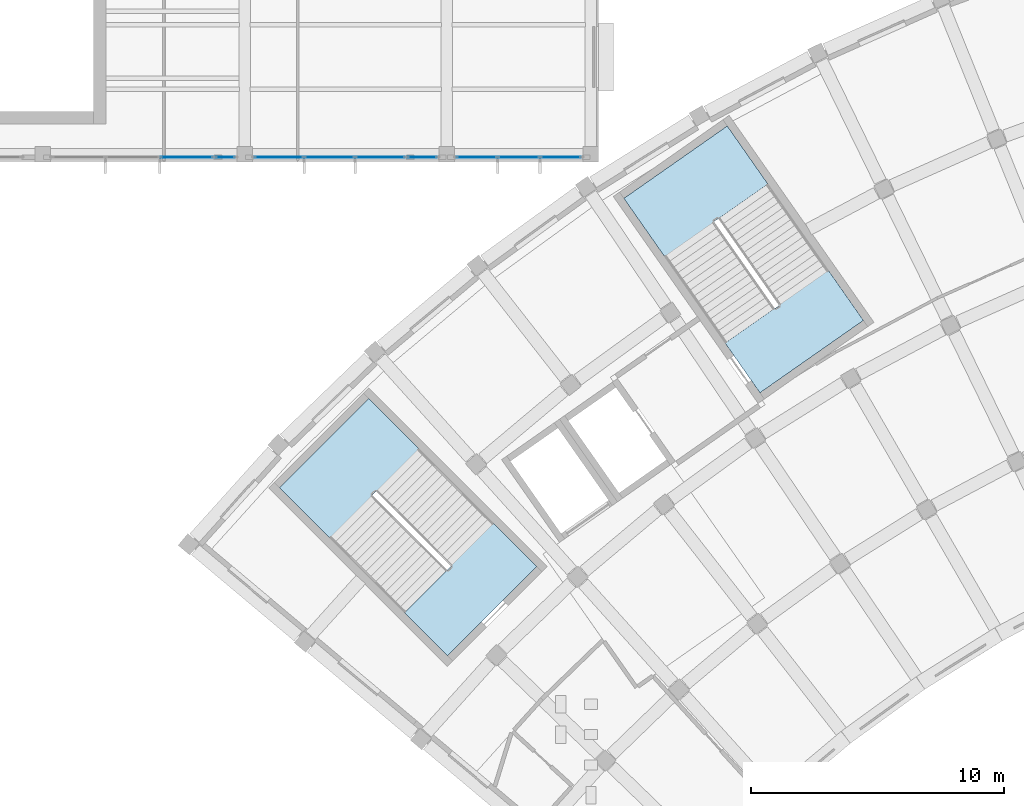
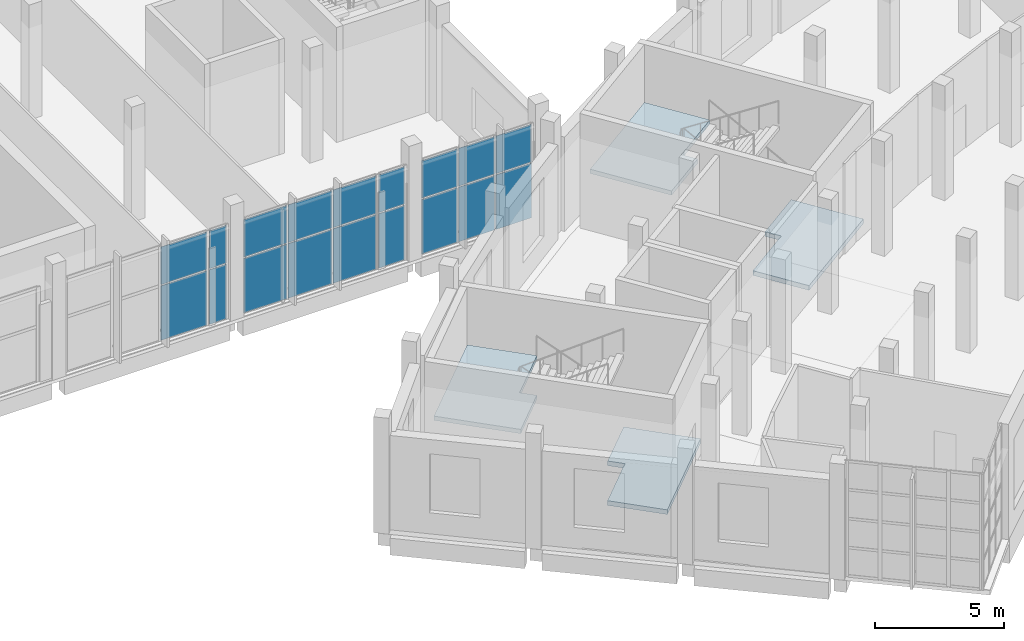
# One storey, part 24 of 87: 18 plates, 4 slabs, 7 elements without a shape of their own.
"""IFC4 building model written with IfcOpenShell, lengths in metres."""

from ifc_helpers import new_model, si_unit, direction, frame, origin, origin_2d, place, context, subcontext, project, spatial, polyline, rectangle, outline, extrude, material, layer, layer_set, type_object, element, aggregate, save


model = new_model("IFC4")

# Units and contexts
model_context = context("Model", 3, precision=1e-05, world=origin(), true_north=direction((0.0, 1.0)))
body_context = subcontext(model_context, "Body", "Model", "MODEL_VIEW")
ifc_project = project(units=[si_unit("LENGTHUNIT", "METRE"), si_unit("AREAUNIT", "SQUARE_METRE"), si_unit("VOLUMEUNIT", "CUBIC_METRE"), si_unit("PLANEANGLEUNIT", "RADIAN"), si_unit("MASSUNIT", "GRAM", prefix="KILO")], contexts=[model_context])

# Site, building, storey
site_placement = place(None, origin())
site = spatial("IfcSite", under=ifc_project, at=site_placement, CompositionType="ELEMENT")
building_placement = place(site_placement, origin())
building = spatial("IfcBuilding", under=site, at=building_placement, Name="Lunette Opera House", CompositionType="ELEMENT")
storey_placement = place(building_placement, frame((0.0, 0.0, 11.5)))
storey = spatial("IfcBuildingStorey", under=building, at=storey_placement, Name="L02", CompositionType="ELEMENT", Elevation=11.5)

# Slabs
ifc_material_1 = material(Name="Concrete C35/45", Category="concrete")
ifc_layer_1 = layer(ifc_material_1, 0.219970703125)
ifc_layer_set_1 = layer_set([ifc_layer_1], Name="Concrete C35/45")
slab_type_1 = type_object("IfcSlabType", Name="CORE LANDING SLAB 220", PredefinedType="LANDING", material=ifc_layer_set_1)
slab_1_placement = place(storey_placement, frame((0.0, 0.0, -0.219970703125)))
element("IfcSlab", 1, at=slab_1_placement, inside=storey, type_object=slab_type_1, Name="ST1 floor landing", PredefinedType="LANDING", context=body_context, shape_type="SweptSolid", body=[
    extrude(outline(polyline([(46.319091796875, 46.14501953125), (48.01611328125, 47.842041015625), (48.02294921875, 47.8349609375), (48.1650390625, 47.97705078125), (47.669921875, 48.471923828125), (49.366943359375, 50.1689453125), (51.55908203125, 47.97705078125), (48.02294921875, 44.44091796875), (46.319091796875, 46.14501953125)])), origin(), (0.0, 0.0, 1.0), 0.219970703125),
])
slab_2_placement = place(storey_placement, frame((0.0, 0.0, -0.219970703125)))
element("IfcSlab", 2, at=slab_2_placement, inside=storey, type_object=slab_type_1, Name="ST2 floor landing", PredefinedType="LANDING", context=body_context, shape_type="SweptSolid", body=[
    extrude(outline(polyline([(60.39990234375, 54.85107421875), (59.01806640625, 56.824951171875), (60.98388671875, 58.200927734375), (60.989990234375, 58.193115234375), (61.154052734375, 58.30810546875), (60.7529296875, 58.882080078125), (62.718994140625, 60.258056640625), (64.4970703125, 57.718994140625), (60.39990234375, 54.85107421875)])), origin(), (0.0, 0.0, 1.0), 0.219970703125),
])

# Curtain wall, plates
ifc_material_2 = material(Name="Aluminium", Category="aluminium")
ifc_layer_2 = layer(ifc_material_2, 0.179931640625)
ifc_layer_set_2 = layer_set([ifc_layer_2], Name="Aluminium")
curtain_wall_type = type_object("IfcCurtainWallType", Name="SUN FACE CURTAIN WALL", PredefinedType="NOTDEFINED", material=ifc_layer_set_2)
curtain_wall_1_placement = place(storey_placement, origin())
curtain_wall_1 = element("IfcCurtainWall", 3, at=curtain_wall_1_placement, inside=storey, type_object=curtain_wall_type, Name="Sun Face Curtain Wall F22 L02", PredefinedType="NOTDEFINED")
ifc_material_3 = material(Name="Laminated glass", Category="glass")
ifc_layer_3 = layer(ifc_material_3, 0.028076171875)
ifc_layer_set_3 = layer_set([ifc_layer_3], Name="Laminated glass")
plate_type = type_object("IfcPlateType", Name="CURTAIN PANEL LAMINATED GLASS 28", PredefinedType="CURTAIN_PANEL", material=ifc_layer_set_3)
plate_1_placement = place(storey_placement, frame((37.69677734375, 64.18310546875, 0.06005859375), z_axis=(0.0, 0.0, 1.0), x_axis=(1.0, 0.0, 0.0)))
plate_1 = element("IfcPlate", 4, at=plate_1_placement, type_object=plate_type, Name="RW-X2038 panel 3.1", PredefinedType="CURTAIN_PANEL", context=body_context, shape_type="SweptSolid", body=[
    extrude(rectangle(XDim=2.062744140625, YDim=0.028076171875, at=origin_2d()), origin(), (0.0, 0.0, 1.0), 2.5849609375),
])
plate_2_placement = place(storey_placement, frame((37.69677734375, 64.18310546875, 2.705078125), z_axis=(0.0, 0.0, 1.0), x_axis=(1.0, 0.0, 0.0)))
plate_2 = element("IfcPlate", 5, at=plate_2_placement, type_object=plate_type, Name="RW-X2038 panel 3.2", PredefinedType="CURTAIN_PANEL", context=body_context, shape_type="SweptSolid", body=[
    extrude(rectangle(XDim=2.062744140625, YDim=0.028076171875, at=origin_2d()), origin(), (0.0, 0.0, 1.0), 1.784912109375),
])
aggregate(curtain_wall_1, [plate_1, plate_2])

curtain_wall_2_placement = place(storey_placement, origin())
curtain_wall_2 = element("IfcCurtainWall", 6, at=curtain_wall_2_placement, inside=storey, type_object=curtain_wall_type, Name="Sun Face Curtain Wall F23-1 L02", PredefinedType="NOTDEFINED")
plate_3_placement = place(storey_placement, frame((39.22900390625, 64.18310546875, 0.06005859375), z_axis=(0.0, 0.0, 1.0), x_axis=(1.0, 0.0, 0.0)))
plate_3 = element("IfcPlate", 7, at=plate_3_placement, type_object=plate_type, Name="RW-X2039 panel 1.1", PredefinedType="CURTAIN_PANEL", context=body_context, shape_type="SweptSolid", body=[
    extrude(rectangle(XDim=0.761962890625, YDim=0.028076171875, at=origin_2d()), origin(), (0.0, 0.0, 1.0), 2.5849609375),
])
plate_4_placement = place(storey_placement, frame((39.22900390625, 64.18310546875, 2.705078125), z_axis=(0.0, 0.0, 1.0), x_axis=(1.0, 0.0, 0.0)))
plate_4 = element("IfcPlate", 8, at=plate_4_placement, type_object=plate_type, Name="RW-X2039 panel 1.2", PredefinedType="CURTAIN_PANEL", context=body_context, shape_type="SweptSolid", body=[
    extrude(rectangle(XDim=0.761962890625, YDim=0.028076171875, at=origin_2d()), origin(), (0.0, 0.0, 1.0), 1.784912109375),
])
aggregate(curtain_wall_2, [plate_3, plate_4])

curtain_wall_3_placement = place(storey_placement, origin())
curtain_wall_3 = element("IfcCurtainWall", 9, at=curtain_wall_3_placement, inside=storey, type_object=curtain_wall_type, Name="Sun Face Curtain Wall F23-2 L02", PredefinedType="NOTDEFINED")
plate_5_placement = place(storey_placement, frame((41.355712890625, 64.18310546875, 0.06005859375), z_axis=(0.0, 0.0, 1.0), x_axis=(1.0, 0.0, 0.0)))
plate_5 = element("IfcPlate", 10, at=plate_5_placement, type_object=plate_type, Name="RW-X2040 panel 1.1", PredefinedType="CURTAIN_PANEL", context=body_context, shape_type="SweptSolid", body=[
    extrude(rectangle(XDim=1.931396484375, YDim=0.028076171875, at=origin_2d()), origin(), (0.0, 0.0, 1.0), 2.5849609375),
])
plate_6_placement = place(storey_placement, frame((41.355712890625, 64.18310546875, 2.705078125), z_axis=(0.0, 0.0, 1.0), x_axis=(1.0, 0.0, 0.0)))
plate_6 = element("IfcPlate", 11, at=plate_6_placement, type_object=plate_type, Name="RW-X2040 panel 1.2", PredefinedType="CURTAIN_PANEL", context=body_context, shape_type="SweptSolid", body=[
    extrude(rectangle(XDim=1.931396484375, YDim=0.028076171875, at=origin_2d()), origin(), (0.0, 0.0, 1.0), 1.784912109375),
])
plate_7_placement = place(storey_placement, frame((43.362060546875, 64.18310546875, 0.06005859375), z_axis=(0.0, 0.0, 1.0), x_axis=(1.0, 0.0, 0.0)))
plate_7 = element("IfcPlate", 12, at=plate_7_placement, type_object=plate_type, Name="RW-X2040 panel 2.1", PredefinedType="CURTAIN_PANEL", context=body_context, shape_type="SweptSolid", body=[
    extrude(rectangle(XDim=1.96142578125, YDim=0.028076171875, at=origin_2d()), origin(), (0.0, 0.0, 1.0), 2.5849609375),
])
plate_8_placement = place(storey_placement, frame((43.362060546875, 64.18310546875, 2.705078125), z_axis=(0.0, 0.0, 1.0), x_axis=(1.0, 0.0, 0.0)))
plate_8 = element("IfcPlate", 13, at=plate_8_placement, type_object=plate_type, Name="RW-X2040 panel 2.2", PredefinedType="CURTAIN_PANEL", context=body_context, shape_type="SweptSolid", body=[
    extrude(rectangle(XDim=1.96142578125, YDim=0.028076171875, at=origin_2d()), origin(), (0.0, 0.0, 1.0), 1.784912109375),
])
plate_9_placement = place(storey_placement, frame((45.368408203125, 64.18310546875, 0.06005859375), z_axis=(0.0, 0.0, 1.0), x_axis=(1.0, 0.0, 0.0)))
plate_9 = element("IfcPlate", 14, at=plate_9_placement, type_object=plate_type, Name="RW-X2040 panel 3.1", PredefinedType="CURTAIN_PANEL", context=body_context, shape_type="SweptSolid", body=[
    extrude(rectangle(XDim=1.931396484375, YDim=0.028076171875, at=origin_2d()), origin(), (0.0, 0.0, 1.0), 2.5849609375),
])
plate_10_placement = place(storey_placement, frame((45.368408203125, 64.18310546875, 2.705078125), z_axis=(0.0, 0.0, 1.0), x_axis=(1.0, 0.0, 0.0)))
plate_10 = element("IfcPlate", 15, at=plate_10_placement, type_object=plate_type, Name="RW-X2040 panel 3.2", PredefinedType="CURTAIN_PANEL", context=body_context, shape_type="SweptSolid", body=[
    extrude(rectangle(XDim=1.931396484375, YDim=0.028076171875, at=origin_2d()), origin(), (0.0, 0.0, 1.0), 1.784912109375),
])
aggregate(curtain_wall_3, [plate_5, plate_6, plate_7, plate_8, plate_9, plate_10])

curtain_wall_4_placement = place(storey_placement, origin())
curtain_wall_4 = element("IfcCurtainWall", 16, at=curtain_wall_4_placement, inside=storey, type_object=curtain_wall_type, Name="Sun Face Curtain Wall F24-1 L02", PredefinedType="NOTDEFINED")
plate_11_placement = place(storey_placement, frame((47.031982421875, 64.18310546875, 0.06005859375), z_axis=(0.0, 0.0, 1.0), x_axis=(1.0, 0.0, 0.0)))
plate_11 = element("IfcPlate", 17, at=plate_11_placement, type_object=plate_type, Name="RW-X2041 panel 1.1", PredefinedType="CURTAIN_PANEL", context=body_context, shape_type="SweptSolid", body=[
    extrude(rectangle(XDim=1.156005859375, YDim=0.028076171875, at=origin_2d()), origin(), (0.0, 0.0, 1.0), 2.5849609375),
])
plate_12_placement = place(storey_placement, frame((47.031982421875, 64.18310546875, 2.705078125), z_axis=(0.0, 0.0, 1.0), x_axis=(1.0, 0.0, 0.0)))
plate_12 = element("IfcPlate", 18, at=plate_12_placement, type_object=plate_type, Name="RW-X2041 panel 1.2", PredefinedType="CURTAIN_PANEL", context=body_context, shape_type="SweptSolid", body=[
    extrude(rectangle(XDim=1.156005859375, YDim=0.028076171875, at=origin_2d()), origin(), (0.0, 0.0, 1.0), 1.784912109375),
])
aggregate(curtain_wall_4, [plate_11, plate_12])

curtain_wall_5_placement = place(storey_placement, origin())
curtain_wall_5 = element("IfcCurtainWall", 19, at=curtain_wall_5_placement, inside=storey, type_object=curtain_wall_type, Name="Sun Face Curtain Wall F24-2 L02", PredefinedType="NOTDEFINED")
plate_13_placement = place(storey_placement, frame((49.18505859375, 64.18310546875, 0.06005859375), z_axis=(0.0, 0.0, 1.0), x_axis=(1.0, 0.0, 0.0)))
plate_13 = element("IfcPlate", 20, at=plate_13_placement, type_object=plate_type, Name="RW-X2042 panel 1.1", PredefinedType="CURTAIN_PANEL", context=body_context, shape_type="SweptSolid", body=[
    extrude(rectangle(XDim=1.590087890625, YDim=0.028076171875, at=origin_2d()), origin(), (0.0, 0.0, 1.0), 2.5849609375),
])
plate_14_placement = place(storey_placement, frame((49.18505859375, 64.18310546875, 2.705078125), z_axis=(0.0, 0.0, 1.0), x_axis=(1.0, 0.0, 0.0)))
plate_14 = element("IfcPlate", 21, at=plate_14_placement, type_object=plate_type, Name="RW-X2042 panel 1.2", PredefinedType="CURTAIN_PANEL", context=body_context, shape_type="SweptSolid", body=[
    extrude(rectangle(XDim=1.590087890625, YDim=0.028076171875, at=origin_2d()), origin(), (0.0, 0.0, 1.0), 1.784912109375),
])
plate_15_placement = place(storey_placement, frame((50.85009765625, 64.18310546875, 0.06005859375), z_axis=(0.0, 0.0, 1.0), x_axis=(1.0, 0.0, 0.0)))
plate_15 = element("IfcPlate", 22, at=plate_15_placement, type_object=plate_type, Name="RW-X2042 panel 2.1", PredefinedType="CURTAIN_PANEL", context=body_context, shape_type="SweptSolid", body=[
    extrude(rectangle(XDim=1.6201171875, YDim=0.028076171875, at=origin_2d()), origin(), (0.0, 0.0, 1.0), 2.5849609375),
])
plate_16_placement = place(storey_placement, frame((50.85009765625, 64.18310546875, 2.705078125), z_axis=(0.0, 0.0, 1.0), x_axis=(1.0, 0.0, 0.0)))
plate_16 = element("IfcPlate", 23, at=plate_16_placement, type_object=plate_type, Name="RW-X2042 panel 2.2", PredefinedType="CURTAIN_PANEL", context=body_context, shape_type="SweptSolid", body=[
    extrude(rectangle(XDim=1.6201171875, YDim=0.028076171875, at=origin_2d()), origin(), (0.0, 0.0, 1.0), 1.784912109375),
])
plate_17_placement = place(storey_placement, frame((52.514892578125, 64.18310546875, 0.06005859375), z_axis=(0.0, 0.0, 1.0), x_axis=(1.0, 0.0, 0.0)))
plate_17 = element("IfcPlate", 24, at=plate_17_placement, type_object=plate_type, Name="RW-X2042 panel 3.1", PredefinedType="CURTAIN_PANEL", context=body_context, shape_type="SweptSolid", body=[
    extrude(rectangle(XDim=1.590087890625, YDim=0.028076171875, at=origin_2d()), origin(), (0.0, 0.0, 1.0), 2.5849609375),
])
plate_18_placement = place(storey_placement, frame((52.514892578125, 64.18310546875, 2.705078125), z_axis=(0.0, 0.0, 1.0), x_axis=(1.0, 0.0, 0.0)))
plate_18 = element("IfcPlate", 25, at=plate_18_placement, type_object=plate_type, Name="RW-X2042 panel 3.2", PredefinedType="CURTAIN_PANEL", context=body_context, shape_type="SweptSolid", body=[
    extrude(rectangle(XDim=1.590087890625, YDim=0.028076171875, at=origin_2d()), origin(), (0.0, 0.0, 1.0), 1.784912109375),
])
aggregate(curtain_wall_5, [plate_13, plate_14, plate_15, plate_16, plate_17, plate_18])

# Stair, slab
ifc_material_4 = material(Name="Concrete C35/45", Category="concrete")
stair_type = type_object("IfcStairType", Name="DOGLEG STAIR 2400", PredefinedType="HALF_TURN_STAIR", material=ifc_material_4)
stair_1_placement = place(storey_placement, origin())
stair_1 = element("IfcStair", 26, at=stair_1_placement, inside=storey, type_object=stair_type, Name="L02 stair ST1", PredefinedType="HALF_TURN_STAIR")
ifc_material_5 = material(Name="Concrete C35/45", Category="concrete")
ifc_layer_4 = layer(ifc_material_5, 0.199951171875)
ifc_layer_set_4 = layer_set([ifc_layer_4], Name="Concrete C35/45")
slab_type_2 = type_object("IfcSlabType", Name="STAIR LANDING SLAB 200", PredefinedType="LANDING", material=ifc_layer_set_4)
slab_3_placement = place(storey_placement, frame((0.0, 0.0, 2.550048828125)))
slab_3 = element("IfcSlab", 27, at=slab_3_placement, type_object=slab_type_2, Name="ST1 landing 1", PredefinedType="LANDING", context=body_context, shape_type="SweptSolid", body=[
    extrude(outline(polyline([(41.3759765625, 51.087890625), (44.912109375, 54.6240234375), (46.89892578125, 52.636962890625), (45.201904296875, 50.93994140625), (45.195068359375, 50.947021484375), (45.052978515625, 50.804931640625), (45.548095703125, 50.31005859375), (43.85107421875, 48.613037109375), (41.3759765625, 51.087890625)])), origin(), (0.0, 0.0, 1.0), 0.199951171875),
])
aggregate(stair_1, [slab_3])

stair_2_placement = place(storey_placement, origin())
stair_2 = element("IfcStair", 28, at=stair_2_placement, inside=storey, type_object=stair_type, Name="L02 stair ST2", PredefinedType="HALF_TURN_STAIR")
slab_4_placement = place(storey_placement, frame((0.0, 0.0, 2.550048828125)))
slab_4 = element("IfcSlab", 29, at=slab_4_placement, type_object=slab_type_2, Name="ST2 landing 1", PredefinedType="LANDING", context=body_context, shape_type="SweptSolid", body=[
    extrude(outline(polyline([(59.10498046875, 65.4189453125), (60.717041015625, 63.116943359375), (58.7509765625, 61.740966796875), (58.7451171875, 61.7490234375), (58.5810546875, 61.634033203125), (58.98193359375, 61.06005859375), (57.01611328125, 59.68408203125), (55.009033203125, 62.552001953125), (59.10498046875, 65.4189453125)])), origin(), (0.0, 0.0, 1.0), 0.199951171875),
])
aggregate(stair_2, [slab_4])

save(model, "model.ifc")
